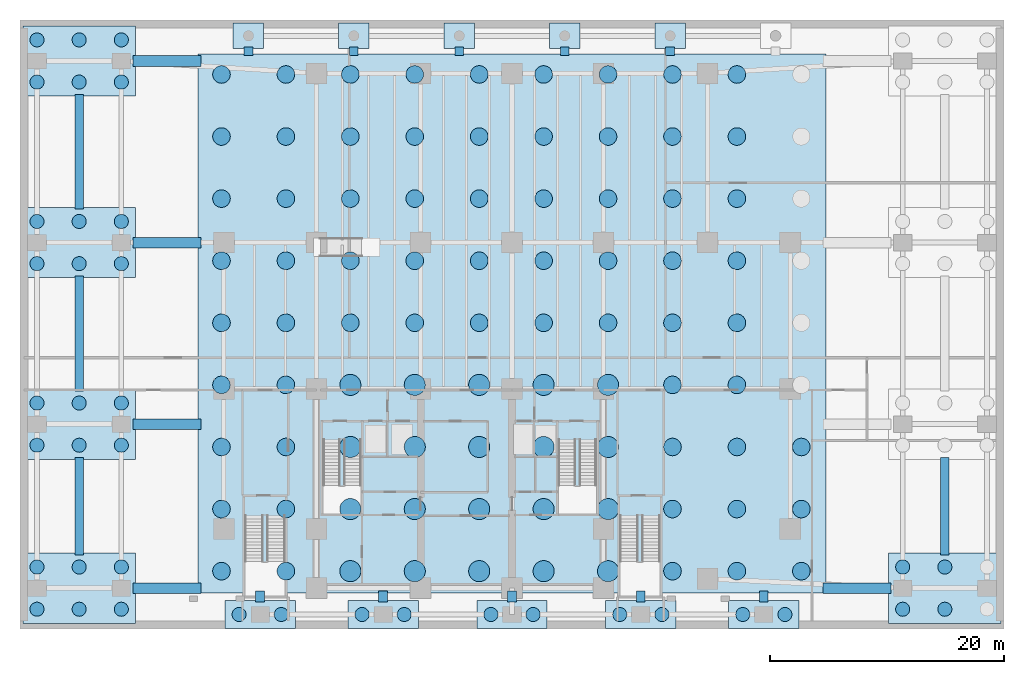
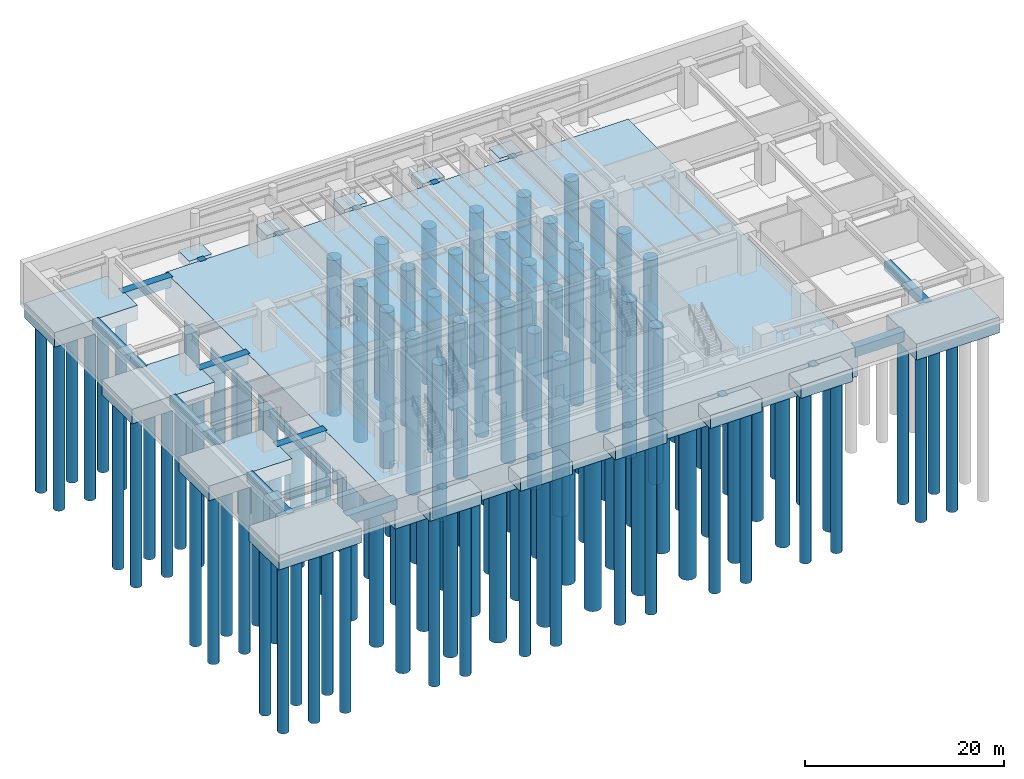
# One storey, part 1 of 12: 122 piles, 35 footings.
"""IFC4 building model written with IfcOpenShell, lengths in metres."""

from ifc_helpers import new_model, si_unit, direction, frame, origin, origin_2d, place, context, subcontext, project, spatial, polyline, rectangle, circle, outline, extrude, material, layer, layer_set, material_profile, profile_set, type_object, element, save


model = new_model("IFC4")

# Units and contexts
model_context = context("Model", 3, precision=1e-05, world=origin(), true_north=direction((0.0, 1.0)))
body_context = subcontext(model_context, "Body", "Model", "MODEL_VIEW")
ifc_project = project(units=[si_unit("LENGTHUNIT", "METRE"), si_unit("AREAUNIT", "SQUARE_METRE"), si_unit("VOLUMEUNIT", "CUBIC_METRE"), si_unit("PLANEANGLEUNIT", "RADIAN"), si_unit("MASSUNIT", "GRAM", prefix="KILO")], contexts=[model_context])

# Site, building, storey
site_placement = place(None, origin())
site = spatial("IfcSite", under=ifc_project, at=site_placement, CompositionType="ELEMENT")
building_placement = place(site_placement, origin())
building = spatial("IfcBuilding", under=site, at=building_placement, Name="Qalmaran Belvedere Hotel", CompositionType="ELEMENT")
storey_placement = place(building_placement, frame((0.0, 0.0, -5.39990234375)))
storey = spatial("IfcBuildingStorey", under=building, at=storey_placement, Name="B01", CompositionType="ELEMENT", Elevation=-5.39990234375)

# Footings
ifc_material = material(Name="Concrete C50/60", Category="concrete")
ifc_material_profile_1 = material_profile(ifc_material, rectangle(XDim=0.89990234375, YDim=1.199951171875, at=origin_2d()), Name="GB900X1200")
ifc_profile_set_1 = profile_set([ifc_material_profile_1], Name="Concrete C50/60")
footing_type_1 = type_object("IfcFootingType", Name="FTG-GB1-Concrete-C50-60", PredefinedType="FOOTING_BEAM", material=ifc_profile_set_1)
for number, where, z_axis, x_axis, name in (
    (1, (4.64990234375, 3.5, -0.60009765625), (1.0, 0.0, 0.0), (0.0, 1.0, 0.0), "Ground Tie Beam GB-1 01"),
    (2, (63.550048828125, 3.5, -0.60009765625), (1.0, 0.0, 0.0), (0.0, 1.0, 0.0), "Ground Tie Beam GB-1 02"),
    (3, (4.64990234375, 17.5, -0.60009765625), (1.0, 0.0, 0.0), (0.0, 1.0, 0.0), "Ground Tie Beam GB-1 03"),
    (4, (4.64990234375, 33.0, -0.60009765625), (1.0, 0.0, 0.0), (0.0, 1.0, 0.0), "Ground Tie Beam GB-1 05"),
    (5, (4.64990234375, 48.5, -0.60009765625), (1.0, 0.0, 0.0), (0.0, 1.0, 0.0), "Ground Tie Beam GB-1 07"),
):
    element("IfcFooting", number, at=place(storey_placement, frame(where, z_axis=z_axis, x_axis=x_axis)), inside=storey, type_object=footing_type_1, Name=name, PredefinedType="FOOTING_BEAM", context=body_context, shape_type="SweptSolid", body=[
        extrude(rectangle(XDim=0.89990234375, YDim=1.199951171875, at=origin_2d()), origin(), (0.0, 0.0, 1.0), 5.800048828125),
    ])
ifc_material_profile_2 = material_profile(ifc_material, rectangle(XDim=0.75, YDim=1.0, at=origin_2d()), Name="GB750X1000")
ifc_profile_set_2 = profile_set([ifc_material_profile_2], Name="Concrete C50/60")
footing_type_2 = type_object("IfcFootingType", Name="FTG-GB2-Concrete-C50-60", PredefinedType="FOOTING_BEAM", material=ifc_profile_set_2)
for number, where, z_axis, x_axis, name in (
    (6, (0.050048828125, 6.35009765625, -0.5), (0.0, 1.0, 0.0), (-1.0, 0.0, 0.0), "Ground Tie Beam GB-2 W1"),
    (7, (73.949951171875, 6.35009765625, -0.5), (0.0, 1.0, 0.0), (-1.0, 0.0, 0.0), "Ground Tie Beam GB-2 E1"),
):
    element("IfcFooting", number, at=place(storey_placement, frame(where, z_axis=z_axis, x_axis=x_axis)), inside=storey, type_object=footing_type_2, Name=name, PredefinedType="FOOTING_BEAM", context=body_context, shape_type="SweptSolid", body=[
        extrude(rectangle(XDim=0.75, YDim=1.0, at=origin_2d()), origin(), (0.0, 0.0, 1.0), 8.2998046875),
    ])
for number, where, z_axis, x_axis, name in (
    (8, (0.050048828125, 20.35009765625, -0.5), (0.0, 1.0, 0.0), (-1.0, 0.0, 0.0), "Ground Tie Beam GB-2 W2"),
    (9, (0.050048828125, 35.85009765625, -0.5), (0.0, 1.0, 0.0), (-1.0, 0.0, 0.0), "Ground Tie Beam GB-2 W3"),
):
    element("IfcFooting", number, at=place(storey_placement, frame(where, z_axis=z_axis, x_axis=x_axis)), inside=storey, type_object=footing_type_2, Name=name, PredefinedType="FOOTING_BEAM", context=body_context, shape_type="SweptSolid", body=[
        extrude(rectangle(XDim=0.75, YDim=1.0, at=origin_2d()), origin(), (0.0, 0.0, 1.0), 9.7998046875),
    ])
for number, where, z_axis, x_axis, name in (
    (10, (15.5, 2.300048828125, -0.5), (0.0, 1.0, 0.0), (-1.0, 0.0, 0.0), "South Tie Beam GB-2 S15"),
    (11, (26.0, 2.300048828125, -0.5), (0.0, 1.0, 0.0), (-1.0, 0.0, 0.0), "South Tie Beam GB-2 S16"),
    (12, (37.0, 2.300048828125, -0.5), (0.0, 1.0, 0.0), (-1.0, 0.0, 0.0), "South Tie Beam GB-2 S17"),
    (13, (48.0, 2.300048828125, -0.5), (0.0, 1.0, 0.0), (-1.0, 0.0, 0.0), "South Tie Beam GB-2 S18"),
    (14, (58.5, 2.300048828125, -0.5), (0.0, 1.0, 0.0), (-1.0, 0.0, 0.0), "South Tie Beam GB-2 S19"),
):
    element("IfcFooting", number, at=place(storey_placement, frame(where, z_axis=z_axis, x_axis=x_axis)), inside=storey, type_object=footing_type_2, Name=name, PredefinedType="FOOTING_BEAM", context=body_context, shape_type="SweptSolid", body=[
        extrude(rectangle(XDim=0.75, YDim=1.0, at=origin_2d()), origin(), (0.0, 0.0, 1.0), 0.949951171875),
    ])
for number, where, z_axis, x_axis, name in (
    (15, (14.5, 48.949951171875, -0.5), (0.0, 1.0, 0.0), (-1.0, 0.0, 0.0), "North Tie Beam GB-2 N20"),
    (16, (23.5, 48.949951171875, -0.5), (0.0, 1.0, 0.0), (-1.0, 0.0, 0.0), "North Tie Beam GB-2 N21"),
    (17, (32.5, 48.949951171875, -0.5), (0.0, 1.0, 0.0), (-1.0, 0.0, 0.0), "North Tie Beam GB-2 N22"),
    (18, (41.5, 48.949951171875, -0.5), (0.0, 1.0, 0.0), (-1.0, 0.0, 0.0), "North Tie Beam GB-2 N23"),
    (19, (50.5, 48.949951171875, -0.5), (0.0, 1.0, 0.0), (-1.0, 0.0, 0.0), "North Tie Beam GB-2 N24"),
):
    element("IfcFooting", number, at=place(storey_placement, frame(where, z_axis=z_axis, x_axis=x_axis)), inside=storey, type_object=footing_type_2, Name=name, PredefinedType="FOOTING_BEAM", context=body_context, shape_type="SweptSolid", body=[
        extrude(rectangle(XDim=0.75, YDim=1.0, at=origin_2d()), origin(), (0.0, 0.0, 1.0), 0.75),
    ])
ifc_layer_1 = layer(ifc_material, 1.800048828125, Name="Concrete C50/60")
ifc_layer_set_1 = layer_set([ifc_layer_1], Name="Concrete C50/60")
footing_type_3 = type_object("IfcFootingType", Name="FTG-PC1-Concrete-C50-60", PredefinedType="PILE_CAP", material=ifc_layer_set_1)
footing_1_placement = place(storey_placement, frame((0.0, 0.0, -1.800048828125)))
element("IfcFooting", 20, at=footing_1_placement, inside=storey, type_object=footing_type_3, Name="West Podium Pile Cap PC-1 W1", PredefinedType="PILE_CAP", context=body_context, shape_type="SweptSolid", body=[
    extrude(outline(polyline([(-4.75, 0.5), (4.85009765625, 0.5), (4.85009765625, 6.5), (-4.75, 6.5), (-4.75, 0.5)])), origin(), (0.0, 0.0, 1.0), 1.800048828125),
])
footing_2_placement = place(storey_placement, frame((0.0, 0.0, -1.800048828125)))
element("IfcFooting", 21, at=footing_2_placement, inside=storey, type_object=footing_type_3, Name="West Podium Pile Cap PC-1 W2", PredefinedType="PILE_CAP", context=body_context, shape_type="SweptSolid", body=[
    extrude(outline(polyline([(-4.75, 14.5), (4.85009765625, 14.5), (4.85009765625, 20.5), (-4.75, 20.5), (-4.75, 14.5)])), origin(), (0.0, 0.0, 1.0), 1.800048828125),
])
footing_3_placement = place(storey_placement, frame((0.0, 0.0, -1.800048828125)))
element("IfcFooting", 22, at=footing_3_placement, inside=storey, type_object=footing_type_3, Name="West Podium Pile Cap PC-1 W3", PredefinedType="PILE_CAP", context=body_context, shape_type="SweptSolid", body=[
    extrude(outline(polyline([(-4.75, 30.0), (4.85009765625, 30.0), (4.85009765625, 36.0), (-4.75, 36.0), (-4.75, 30.0)])), origin(), (0.0, 0.0, 1.0), 1.800048828125),
])
footing_4_placement = place(storey_placement, frame((0.0, 0.0, -1.800048828125)))
element("IfcFooting", 23, at=footing_4_placement, inside=storey, type_object=footing_type_3, Name="West Podium Pile Cap PC-1 W4", PredefinedType="PILE_CAP", context=body_context, shape_type="SweptSolid", body=[
    extrude(outline(polyline([(-4.75, 45.5), (4.85009765625, 45.5), (4.85009765625, 51.5), (-4.75, 51.5), (-4.75, 45.5)])), origin(), (0.0, 0.0, 1.0), 1.800048828125),
])
ifc_layer_2 = layer(ifc_material, 1.949951171875, Name="Concrete C50/60")
ifc_layer_set_2 = layer_set([ifc_layer_2], Name="Concrete C50/60")
footing_type_4 = type_object("IfcFootingType", Name="FTG-PC2-Concrete-C50-60", PredefinedType="PILE_CAP", material=ifc_layer_set_2)
footing_5_placement = place(storey_placement, frame((0.0, 0.0, -1.9501953125)))
element("IfcFooting", 24, at=footing_5_placement, inside=storey, type_object=footing_type_4, Name="East Podium Pile Cap PC-2 E1", PredefinedType="PILE_CAP", context=body_context, shape_type="SweptSolid", body=[
    extrude(outline(polyline([(69.14990234375, 0.5), (78.75, 0.5), (78.75, 6.5), (69.14990234375, 6.5), (69.14990234375, 0.5)])), origin(), (0.0, 0.0, 1.0), 1.9501953125),
])
ifc_layer_3 = layer(ifc_material, 1.60009765625, Name="Concrete C50/60")
ifc_layer_set_3 = layer_set([ifc_layer_3], Name="Concrete C50/60")
footing_type_5 = type_object("IfcFootingType", Name="FTG-PC3-Concrete-C50-60", PredefinedType="PILE_CAP", material=ifc_layer_set_3)
footing_6_placement = place(storey_placement, frame((0.0, 0.0, -1.60009765625)))
element("IfcFooting", 25, at=footing_6_placement, inside=storey, type_object=footing_type_5, Name="South Podium Pile Cap PC-3 S1", PredefinedType="PILE_CAP", context=body_context, shape_type="SweptSolid", body=[
    extrude(outline(polyline([(12.5, 0.050048828125), (18.5, 0.050048828125), (18.5, 2.449951171875), (12.5, 2.449951171875), (12.5, 0.050048828125)])), origin(), (0.0, 0.0, 1.0), 1.60009765625),
])
footing_7_placement = place(storey_placement, frame((0.0, 0.0, -1.60009765625)))
element("IfcFooting", 26, at=footing_7_placement, inside=storey, type_object=footing_type_5, Name="South Podium Pile Cap PC-3 S2", PredefinedType="PILE_CAP", context=body_context, shape_type="SweptSolid", body=[
    extrude(outline(polyline([(23.0, 0.050048828125), (29.0, 0.050048828125), (29.0, 2.449951171875), (23.0, 2.449951171875), (23.0, 0.050048828125)])), origin(), (0.0, 0.0, 1.0), 1.60009765625),
])
footing_8_placement = place(storey_placement, frame((0.0, 0.0, -1.60009765625)))
element("IfcFooting", 27, at=footing_8_placement, inside=storey, type_object=footing_type_5, Name="South Podium Pile Cap PC-3 S3", PredefinedType="PILE_CAP", context=body_context, shape_type="SweptSolid", body=[
    extrude(outline(polyline([(34.0, 0.050048828125), (40.0, 0.050048828125), (40.0, 2.449951171875), (34.0, 2.449951171875), (34.0, 0.050048828125)])), origin(), (0.0, 0.0, 1.0), 1.60009765625),
])
footing_9_placement = place(storey_placement, frame((0.0, 0.0, -1.60009765625)))
element("IfcFooting", 28, at=footing_9_placement, inside=storey, type_object=footing_type_5, Name="South Podium Pile Cap PC-3 S4", PredefinedType="PILE_CAP", context=body_context, shape_type="SweptSolid", body=[
    extrude(outline(polyline([(45.0, 0.050048828125), (51.0, 0.050048828125), (51.0, 2.449951171875), (45.0, 2.449951171875), (45.0, 0.050048828125)])), origin(), (0.0, 0.0, 1.0), 1.60009765625),
])
footing_10_placement = place(storey_placement, frame((0.0, 0.0, -1.60009765625)))
element("IfcFooting", 29, at=footing_10_placement, inside=storey, type_object=footing_type_5, Name="South Podium Pile Cap PC-3 S5", PredefinedType="PILE_CAP", context=body_context, shape_type="SweptSolid", body=[
    extrude(outline(polyline([(55.5, 0.050048828125), (61.5, 0.050048828125), (61.5, 2.449951171875), (55.5, 2.449951171875), (55.5, 0.050048828125)])), origin(), (0.0, 0.0, 1.0), 1.60009765625),
])
ifc_layer_4 = layer(ifc_material, 1.14990234375, Name="Concrete C50/60")
ifc_layer_set_4 = layer_set([ifc_layer_4], Name="Concrete C50/60")
footing_type_6 = type_object("IfcFootingType", Name="FTG-PF1-Concrete-C50-60", PredefinedType="PAD_FOOTING", material=ifc_layer_set_4)
footing_11_placement = place(storey_placement, frame((0.0, 0.0, -1.150146484375)))
element("IfcFooting", 30, at=footing_11_placement, inside=storey, type_object=footing_type_6, Name="North Boulevard Pad Footing PF-1 N1", PredefinedType="PAD_FOOTING", context=body_context, shape_type="SweptSolid", body=[
    extrude(outline(polyline([(13.199951171875, 49.550048828125), (15.800048828125, 49.550048828125), (15.800048828125, 51.75), (13.199951171875, 51.75), (13.199951171875, 49.550048828125)])), origin(), (0.0, 0.0, 1.0), 1.150146484375),
])
footing_12_placement = place(storey_placement, frame((0.0, 0.0, -1.150146484375)))
element("IfcFooting", 31, at=footing_12_placement, inside=storey, type_object=footing_type_6, Name="North Boulevard Pad Footing PF-1 N2", PredefinedType="PAD_FOOTING", context=body_context, shape_type="SweptSolid", body=[
    extrude(outline(polyline([(22.199951171875, 49.550048828125), (24.800048828125, 49.550048828125), (24.800048828125, 51.75), (22.199951171875, 51.75), (22.199951171875, 49.550048828125)])), origin(), (0.0, 0.0, 1.0), 1.150146484375),
])
footing_13_placement = place(storey_placement, frame((0.0, 0.0, -1.150146484375)))
element("IfcFooting", 32, at=footing_13_placement, inside=storey, type_object=footing_type_6, Name="North Boulevard Pad Footing PF-1 N3", PredefinedType="PAD_FOOTING", context=body_context, shape_type="SweptSolid", body=[
    extrude(outline(polyline([(31.199951171875, 49.550048828125), (33.800048828125, 49.550048828125), (33.800048828125, 51.75), (31.199951171875, 51.75), (31.199951171875, 49.550048828125)])), origin(), (0.0, 0.0, 1.0), 1.150146484375),
])
footing_14_placement = place(storey_placement, frame((0.0, 0.0, -1.150146484375)))
element("IfcFooting", 33, at=footing_14_placement, inside=storey, type_object=footing_type_6, Name="North Boulevard Pad Footing PF-1 N4", PredefinedType="PAD_FOOTING", context=body_context, shape_type="SweptSolid", body=[
    extrude(outline(polyline([(40.199951171875, 49.550048828125), (42.800048828125, 49.550048828125), (42.800048828125, 51.75), (40.199951171875, 51.75), (40.199951171875, 49.550048828125)])), origin(), (0.0, 0.0, 1.0), 1.150146484375),
])
footing_15_placement = place(storey_placement, frame((0.0, 0.0, -1.150146484375)))
element("IfcFooting", 34, at=footing_15_placement, inside=storey, type_object=footing_type_6, Name="North Boulevard Pad Footing PF-1 N5", PredefinedType="PAD_FOOTING", context=body_context, shape_type="SweptSolid", body=[
    extrude(outline(polyline([(49.199951171875, 49.550048828125), (51.800048828125, 49.550048828125), (51.800048828125, 51.75), (49.199951171875, 51.75), (49.199951171875, 49.550048828125)])), origin(), (0.0, 0.0, 1.0), 1.150146484375),
])
ifc_layer_5 = layer(ifc_material, 3.60009765625, Name="Concrete C50/60")
ifc_layer_set_5 = layer_set([ifc_layer_5], Name="Concrete C50/60")
footing_type_7 = type_object("IfcFootingType", Name="FTG-RF1-Concrete-C50-60", PredefinedType="PILE_CAP", material=ifc_layer_set_5)
footing_16_placement = place(storey_placement, frame((0.0, 0.0, -3.60009765625)))
element("IfcFooting", 35, at=footing_16_placement, inside=storey, type_object=footing_type_7, Name="Tower Combined Piled Raft RF-1", PredefinedType="PILE_CAP", context=body_context, shape_type="SweptSolid", body=[
    extrude(outline(polyline([(10.199951171875, 3.10009765625), (63.800048828125, 3.10009765625), (63.800048828125, 49.10009765625), (10.199951171875, 49.10009765625), (10.199951171875, 3.10009765625)])), origin(), (0.0, 0.0, 1.0), 3.60009765625),
])

# Piles
ifc_material_profile_3 = material_profile(ifc_material, circle(Radius=0.89990234375, at=origin_2d()), Name="BP1800")
ifc_profile_set_3 = profile_set([ifc_material_profile_3], Name="Concrete C50/60")
pile_type_1 = type_object("IfcPileType", Name="PIL-BP1-Concrete-C50-60", PredefinedType="BORED", material=ifc_profile_set_3)
for number, where, z_axis, x_axis, name in (
    (36, (23.199951171875, 4.949951171875, -3.4501953125), (0.0, 0.0, -1.0), (1.0, 0.0, 0.0), "Tower Raft Bored Pile 019"),
    (37, (23.199951171875, 10.25, -3.4501953125), (0.0, 0.0, -1.0), (1.0, 0.0, 0.0), "Tower Raft Bored Pile 020"),
    (38, (23.199951171875, 15.550048828125, -3.4501953125), (0.0, 0.0, -1.0), (1.0, 0.0, 0.0), "Tower Raft Bored Pile 021"),
    (39, (23.199951171875, 20.85009765625, -3.4501953125), (0.0, 0.0, -1.0), (1.0, 0.0, 0.0), "Tower Raft Bored Pile 022"),
    (40, (28.699951171875, 4.949951171875, -3.4501953125), (0.0, 0.0, -1.0), (1.0, 0.0, 0.0), "Tower Raft Bored Pile 028"),
    (41, (28.699951171875, 10.25, -3.4501953125), (0.0, 0.0, -1.0), (1.0, 0.0, 0.0), "Tower Raft Bored Pile 029"),
    (42, (28.699951171875, 15.550048828125, -3.4501953125), (0.0, 0.0, -1.0), (1.0, 0.0, 0.0), "Tower Raft Bored Pile 030"),
    (43, (28.699951171875, 20.85009765625, -3.4501953125), (0.0, 0.0, -1.0), (1.0, 0.0, 0.0), "Tower Raft Bored Pile 031"),
    (44, (34.199951171875, 4.949951171875, -3.4501953125), (0.0, 0.0, -1.0), (1.0, 0.0, 0.0), "Tower Raft Bored Pile 037"),
    (45, (34.199951171875, 10.25, -3.4501953125), (0.0, 0.0, -1.0), (1.0, 0.0, 0.0), "Tower Raft Bored Pile 038"),
    (46, (34.199951171875, 15.550048828125, -3.4501953125), (0.0, 0.0, -1.0), (1.0, 0.0, 0.0), "Tower Raft Bored Pile 039"),
    (47, (34.199951171875, 20.85009765625, -3.4501953125), (0.0, 0.0, -1.0), (1.0, 0.0, 0.0), "Tower Raft Bored Pile 040"),
    (48, (39.699951171875, 4.949951171875, -3.4501953125), (0.0, 0.0, -1.0), (1.0, 0.0, 0.0), "Tower Raft Bored Pile 046"),
    (49, (39.699951171875, 10.25, -3.4501953125), (0.0, 0.0, -1.0), (1.0, 0.0, 0.0), "Tower Raft Bored Pile 047"),
    (50, (39.699951171875, 15.550048828125, -3.4501953125), (0.0, 0.0, -1.0), (1.0, 0.0, 0.0), "Tower Raft Bored Pile 048"),
    (51, (39.699951171875, 20.85009765625, -3.4501953125), (0.0, 0.0, -1.0), (1.0, 0.0, 0.0), "Tower Raft Bored Pile 049"),
    (52, (45.199951171875, 4.949951171875, -3.4501953125), (0.0, 0.0, -1.0), (1.0, 0.0, 0.0), "Tower Raft Bored Pile 055"),
    (53, (45.199951171875, 10.25, -3.4501953125), (0.0, 0.0, -1.0), (1.0, 0.0, 0.0), "Tower Raft Bored Pile 056"),
    (54, (45.199951171875, 15.550048828125, -3.4501953125), (0.0, 0.0, -1.0), (1.0, 0.0, 0.0), "Tower Raft Bored Pile 057"),
    (55, (45.199951171875, 20.85009765625, -3.4501953125), (0.0, 0.0, -1.0), (1.0, 0.0, 0.0), "Tower Raft Bored Pile 058"),
):
    element("IfcPile", number, at=place(storey_placement, frame(where, z_axis=z_axis, x_axis=x_axis)), inside=storey, type_object=pile_type_1, Name=name, PredefinedType="BORED", context=body_context, shape_type="SweptSolid", body=[
        extrude(circle(Radius=0.89990234375, at=origin_2d()), origin(), (0.0, 0.0, 1.0), 19.14990234375),
    ])
ifc_material_profile_4 = material_profile(ifc_material, circle(Radius=0.75, at=origin_2d()), Name="BP1500")
ifc_profile_set_4 = profile_set([ifc_material_profile_4], Name="Concrete C50/60")
pile_type_2 = type_object("IfcPileType", Name="PIL-BP2-Concrete-C50-60", PredefinedType="BORED", material=ifc_profile_set_4)
for number, where, z_axis, x_axis, name in (
    (56, (12.199951171875, 4.949951171875, -3.4501953125), (0.0, 0.0, -1.0), (1.0, 0.0, 0.0), "Tower Raft Bored Pile 001"),
    (57, (12.199951171875, 10.25, -3.4501953125), (0.0, 0.0, -1.0), (1.0, 0.0, 0.0), "Tower Raft Bored Pile 002"),
    (58, (12.199951171875, 15.550048828125, -3.4501953125), (0.0, 0.0, -1.0), (1.0, 0.0, 0.0), "Tower Raft Bored Pile 003"),
    (59, (12.199951171875, 20.85009765625, -3.4501953125), (0.0, 0.0, -1.0), (1.0, 0.0, 0.0), "Tower Raft Bored Pile 004"),
    (60, (12.199951171875, 26.14990234375, -3.4501953125), (0.0, 0.0, -1.0), (1.0, 0.0, 0.0), "Tower Raft Bored Pile 005"),
    (61, (12.199951171875, 31.449951171875, -3.4501953125), (0.0, 0.0, -1.0), (1.0, 0.0, 0.0), "Tower Raft Bored Pile 006"),
    (62, (12.199951171875, 36.75, -3.4501953125), (0.0, 0.0, -1.0), (1.0, 0.0, 0.0), "Tower Raft Bored Pile 007"),
    (63, (12.199951171875, 42.050048828125, -3.4501953125), (0.0, 0.0, -1.0), (1.0, 0.0, 0.0), "Tower Raft Bored Pile 008"),
    (64, (12.199951171875, 47.35009765625, -3.4501953125), (0.0, 0.0, -1.0), (1.0, 0.0, 0.0), "Tower Raft Bored Pile 009"),
    (65, (17.699951171875, 4.949951171875, -3.4501953125), (0.0, 0.0, -1.0), (1.0, 0.0, 0.0), "Tower Raft Bored Pile 010"),
    (66, (17.699951171875, 10.25, -3.4501953125), (0.0, 0.0, -1.0), (1.0, 0.0, 0.0), "Tower Raft Bored Pile 011"),
    (67, (17.699951171875, 15.550048828125, -3.4501953125), (0.0, 0.0, -1.0), (1.0, 0.0, 0.0), "Tower Raft Bored Pile 012"),
    (68, (17.699951171875, 20.85009765625, -3.4501953125), (0.0, 0.0, -1.0), (1.0, 0.0, 0.0), "Tower Raft Bored Pile 013"),
    (69, (17.699951171875, 26.14990234375, -3.4501953125), (0.0, 0.0, -1.0), (1.0, 0.0, 0.0), "Tower Raft Bored Pile 014"),
    (70, (17.699951171875, 31.449951171875, -3.4501953125), (0.0, 0.0, -1.0), (1.0, 0.0, 0.0), "Tower Raft Bored Pile 015"),
    (71, (17.699951171875, 36.75, -3.4501953125), (0.0, 0.0, -1.0), (1.0, 0.0, 0.0), "Tower Raft Bored Pile 016"),
    (72, (17.699951171875, 42.050048828125, -3.4501953125), (0.0, 0.0, -1.0), (1.0, 0.0, 0.0), "Tower Raft Bored Pile 017"),
    (73, (17.699951171875, 47.35009765625, -3.4501953125), (0.0, 0.0, -1.0), (1.0, 0.0, 0.0), "Tower Raft Bored Pile 018"),
    (74, (23.199951171875, 26.14990234375, -3.4501953125), (0.0, 0.0, -1.0), (1.0, 0.0, 0.0), "Tower Raft Bored Pile 023"),
    (75, (23.199951171875, 31.449951171875, -3.4501953125), (0.0, 0.0, -1.0), (1.0, 0.0, 0.0), "Tower Raft Bored Pile 024"),
    (76, (23.199951171875, 36.75, -3.4501953125), (0.0, 0.0, -1.0), (1.0, 0.0, 0.0), "Tower Raft Bored Pile 025"),
    (77, (23.199951171875, 42.050048828125, -3.4501953125), (0.0, 0.0, -1.0), (1.0, 0.0, 0.0), "Tower Raft Bored Pile 026"),
    (78, (23.199951171875, 47.35009765625, -3.4501953125), (0.0, 0.0, -1.0), (1.0, 0.0, 0.0), "Tower Raft Bored Pile 027"),
    (79, (28.699951171875, 26.14990234375, -3.4501953125), (0.0, 0.0, -1.0), (1.0, 0.0, 0.0), "Tower Raft Bored Pile 032"),
    (80, (28.699951171875, 31.449951171875, -3.4501953125), (0.0, 0.0, -1.0), (1.0, 0.0, 0.0), "Tower Raft Bored Pile 033"),
    (81, (28.699951171875, 36.75, -3.4501953125), (0.0, 0.0, -1.0), (1.0, 0.0, 0.0), "Tower Raft Bored Pile 034"),
    (82, (28.699951171875, 42.050048828125, -3.4501953125), (0.0, 0.0, -1.0), (1.0, 0.0, 0.0), "Tower Raft Bored Pile 035"),
    (83, (28.699951171875, 47.35009765625, -3.4501953125), (0.0, 0.0, -1.0), (1.0, 0.0, 0.0), "Tower Raft Bored Pile 036"),
    (84, (34.199951171875, 26.14990234375, -3.4501953125), (0.0, 0.0, -1.0), (1.0, 0.0, 0.0), "Tower Raft Bored Pile 041"),
    (85, (34.199951171875, 31.449951171875, -3.4501953125), (0.0, 0.0, -1.0), (1.0, 0.0, 0.0), "Tower Raft Bored Pile 042"),
    (86, (34.199951171875, 36.75, -3.4501953125), (0.0, 0.0, -1.0), (1.0, 0.0, 0.0), "Tower Raft Bored Pile 043"),
    (87, (34.199951171875, 42.050048828125, -3.4501953125), (0.0, 0.0, -1.0), (1.0, 0.0, 0.0), "Tower Raft Bored Pile 044"),
    (88, (34.199951171875, 47.35009765625, -3.4501953125), (0.0, 0.0, -1.0), (1.0, 0.0, 0.0), "Tower Raft Bored Pile 045"),
    (89, (39.699951171875, 26.14990234375, -3.4501953125), (0.0, 0.0, -1.0), (1.0, 0.0, 0.0), "Tower Raft Bored Pile 050"),
    (90, (39.699951171875, 31.449951171875, -3.4501953125), (0.0, 0.0, -1.0), (1.0, 0.0, 0.0), "Tower Raft Bored Pile 051"),
    (91, (39.699951171875, 36.75, -3.4501953125), (0.0, 0.0, -1.0), (1.0, 0.0, 0.0), "Tower Raft Bored Pile 052"),
    (92, (39.699951171875, 42.050048828125, -3.4501953125), (0.0, 0.0, -1.0), (1.0, 0.0, 0.0), "Tower Raft Bored Pile 053"),
    (93, (39.699951171875, 47.35009765625, -3.4501953125), (0.0, 0.0, -1.0), (1.0, 0.0, 0.0), "Tower Raft Bored Pile 054"),
    (94, (45.199951171875, 26.14990234375, -3.4501953125), (0.0, 0.0, -1.0), (1.0, 0.0, 0.0), "Tower Raft Bored Pile 059"),
    (95, (45.199951171875, 31.449951171875, -3.4501953125), (0.0, 0.0, -1.0), (1.0, 0.0, 0.0), "Tower Raft Bored Pile 060"),
    (96, (45.199951171875, 36.75, -3.4501953125), (0.0, 0.0, -1.0), (1.0, 0.0, 0.0), "Tower Raft Bored Pile 061"),
    (97, (45.199951171875, 42.050048828125, -3.4501953125), (0.0, 0.0, -1.0), (1.0, 0.0, 0.0), "Tower Raft Bored Pile 062"),
    (98, (45.199951171875, 47.35009765625, -3.4501953125), (0.0, 0.0, -1.0), (1.0, 0.0, 0.0), "Tower Raft Bored Pile 063"),
    (99, (50.699951171875, 4.949951171875, -3.4501953125), (0.0, 0.0, -1.0), (1.0, 0.0, 0.0), "Tower Raft Bored Pile 064"),
    (100, (50.699951171875, 10.25, -3.4501953125), (0.0, 0.0, -1.0), (1.0, 0.0, 0.0), "Tower Raft Bored Pile 065"),
    (101, (50.699951171875, 15.550048828125, -3.4501953125), (0.0, 0.0, -1.0), (1.0, 0.0, 0.0), "Tower Raft Bored Pile 066"),
    (102, (50.699951171875, 20.85009765625, -3.4501953125), (0.0, 0.0, -1.0), (1.0, 0.0, 0.0), "Tower Raft Bored Pile 067"),
    (103, (50.699951171875, 26.14990234375, -3.4501953125), (0.0, 0.0, -1.0), (1.0, 0.0, 0.0), "Tower Raft Bored Pile 068"),
    (104, (50.699951171875, 31.449951171875, -3.4501953125), (0.0, 0.0, -1.0), (1.0, 0.0, 0.0), "Tower Raft Bored Pile 069"),
    (105, (50.699951171875, 36.75, -3.4501953125), (0.0, 0.0, -1.0), (1.0, 0.0, 0.0), "Tower Raft Bored Pile 070"),
    (106, (50.699951171875, 42.050048828125, -3.4501953125), (0.0, 0.0, -1.0), (1.0, 0.0, 0.0), "Tower Raft Bored Pile 071"),
    (107, (50.699951171875, 47.35009765625, -3.4501953125), (0.0, 0.0, -1.0), (1.0, 0.0, 0.0), "Tower Raft Bored Pile 072"),
    (108, (56.199951171875, 4.949951171875, -3.4501953125), (0.0, 0.0, -1.0), (1.0, 0.0, 0.0), "Tower Raft Bored Pile 073"),
    (109, (56.199951171875, 10.25, -3.4501953125), (0.0, 0.0, -1.0), (1.0, 0.0, 0.0), "Tower Raft Bored Pile 074"),
    (110, (56.199951171875, 15.550048828125, -3.4501953125), (0.0, 0.0, -1.0), (1.0, 0.0, 0.0), "Tower Raft Bored Pile 075"),
    (111, (56.199951171875, 20.85009765625, -3.4501953125), (0.0, 0.0, -1.0), (1.0, 0.0, 0.0), "Tower Raft Bored Pile 076"),
    (112, (56.199951171875, 26.14990234375, -3.4501953125), (0.0, 0.0, -1.0), (1.0, 0.0, 0.0), "Tower Raft Bored Pile 077"),
    (113, (56.199951171875, 31.449951171875, -3.4501953125), (0.0, 0.0, -1.0), (1.0, 0.0, 0.0), "Tower Raft Bored Pile 078"),
    (114, (56.199951171875, 36.75, -3.4501953125), (0.0, 0.0, -1.0), (1.0, 0.0, 0.0), "Tower Raft Bored Pile 079"),
    (115, (56.199951171875, 42.050048828125, -3.4501953125), (0.0, 0.0, -1.0), (1.0, 0.0, 0.0), "Tower Raft Bored Pile 080"),
    (116, (56.199951171875, 47.35009765625, -3.4501953125), (0.0, 0.0, -1.0), (1.0, 0.0, 0.0), "Tower Raft Bored Pile 081"),
    (117, (61.699951171875, 4.949951171875, -3.4501953125), (0.0, 0.0, -1.0), (1.0, 0.0, 0.0), "Tower Raft Bored Pile 082"),
    (118, (61.699951171875, 10.25, -3.4501953125), (0.0, 0.0, -1.0), (1.0, 0.0, 0.0), "Tower Raft Bored Pile 083"),
    (119, (61.699951171875, 15.550048828125, -3.4501953125), (0.0, 0.0, -1.0), (1.0, 0.0, 0.0), "Tower Raft Bored Pile 084"),
):
    element("IfcPile", number, at=place(storey_placement, frame(where, z_axis=z_axis, x_axis=x_axis)), inside=storey, type_object=pile_type_2, Name=name, PredefinedType="BORED", context=body_context, shape_type="SweptSolid", body=[
        extrude(circle(Radius=0.75, at=origin_2d()), origin(), (0.0, 0.0, 1.0), 19.14990234375),
    ])
ifc_material_profile_5 = material_profile(ifc_material, circle(Radius=0.60009765625, at=origin_2d()), Name="BP1200")
ifc_profile_set_5 = profile_set([ifc_material_profile_5], Name="Concrete C50/60")
pile_type_3 = type_object("IfcPileType", Name="PIL-BP3-Concrete-C50-60", PredefinedType="BORED", material=ifc_profile_set_5)
for number, where, z_axis, x_axis, name in (
    (120, (-3.550048828125, 1.699951171875, -1.650146484375), (0.0, 0.0, -1.0), (1.0, 0.0, 0.0), "West Podium Bored Pile 091"),
    (121, (-3.550048828125, 5.300048828125, -1.650146484375), (0.0, 0.0, -1.0), (1.0, 0.0, 0.0), "West Podium Bored Pile 092"),
    (122, (0.050048828125, 1.699951171875, -1.650146484375), (0.0, 0.0, -1.0), (1.0, 0.0, 0.0), "West Podium Bored Pile 093"),
    (123, (0.050048828125, 5.300048828125, -1.650146484375), (0.0, 0.0, -1.0), (1.0, 0.0, 0.0), "West Podium Bored Pile 094"),
    (124, (3.64990234375, 1.699951171875, -1.650146484375), (0.0, 0.0, -1.0), (1.0, 0.0, 0.0), "West Podium Bored Pile 095"),
    (125, (3.64990234375, 5.300048828125, -1.650146484375), (0.0, 0.0, -1.0), (1.0, 0.0, 0.0), "West Podium Bored Pile 096"),
):
    element("IfcPile", number, at=place(storey_placement, frame(where, z_axis=z_axis, x_axis=x_axis)), inside=storey, type_object=pile_type_3, Name=name, PredefinedType="BORED", context=body_context, shape_type="SweptSolid", body=[
        extrude(circle(Radius=0.60009765625, at=origin_2d()), origin(), (0.0, 0.0, 1.0), 20.949951171875),
    ])
for number, where, z_axis, x_axis, name in (
    (126, (70.35009765625, 1.699951171875, -1.800048828125), (0.0, 0.0, -1.0), (1.0, 0.0, 0.0), "East Podium Bored Pile 097"),
    (127, (70.35009765625, 5.300048828125, -1.800048828125), (0.0, 0.0, -1.0), (1.0, 0.0, 0.0), "East Podium Bored Pile 098"),
    (128, (73.949951171875, 1.699951171875, -1.800048828125), (0.0, 0.0, -1.0), (1.0, 0.0, 0.0), "East Podium Bored Pile 099"),
    (129, (73.949951171875, 5.300048828125, -1.800048828125), (0.0, 0.0, -1.0), (1.0, 0.0, 0.0), "East Podium Bored Pile 100"),
):
    element("IfcPile", number, at=place(storey_placement, frame(where, z_axis=z_axis, x_axis=x_axis)), inside=storey, type_object=pile_type_3, Name=name, PredefinedType="BORED", context=body_context, shape_type="SweptSolid", body=[
        extrude(circle(Radius=0.60009765625, at=origin_2d()), origin(), (0.0, 0.0, 1.0), 20.800048828125),
    ])
for number, where, z_axis, x_axis, name in (
    (130, (-3.550048828125, 15.699951171875, -1.650146484375), (0.0, 0.0, -1.0), (1.0, 0.0, 0.0), "West Podium Bored Pile 103"),
    (131, (-3.550048828125, 19.300048828125, -1.650146484375), (0.0, 0.0, -1.0), (1.0, 0.0, 0.0), "West Podium Bored Pile 104"),
    (132, (0.050048828125, 15.699951171875, -1.650146484375), (0.0, 0.0, -1.0), (1.0, 0.0, 0.0), "West Podium Bored Pile 105"),
    (133, (0.050048828125, 19.300048828125, -1.650146484375), (0.0, 0.0, -1.0), (1.0, 0.0, 0.0), "West Podium Bored Pile 106"),
    (134, (3.64990234375, 15.699951171875, -1.650146484375), (0.0, 0.0, -1.0), (1.0, 0.0, 0.0), "West Podium Bored Pile 107"),
    (135, (3.64990234375, 19.300048828125, -1.650146484375), (0.0, 0.0, -1.0), (1.0, 0.0, 0.0), "West Podium Bored Pile 108"),
    (136, (-3.550048828125, 31.199951171875, -1.650146484375), (0.0, 0.0, -1.0), (1.0, 0.0, 0.0), "West Podium Bored Pile 115"),
    (137, (-3.550048828125, 34.800048828125, -1.650146484375), (0.0, 0.0, -1.0), (1.0, 0.0, 0.0), "West Podium Bored Pile 116"),
    (138, (0.050048828125, 31.199951171875, -1.650146484375), (0.0, 0.0, -1.0), (1.0, 0.0, 0.0), "West Podium Bored Pile 117"),
    (139, (0.050048828125, 34.800048828125, -1.650146484375), (0.0, 0.0, -1.0), (1.0, 0.0, 0.0), "West Podium Bored Pile 118"),
    (140, (3.64990234375, 31.199951171875, -1.650146484375), (0.0, 0.0, -1.0), (1.0, 0.0, 0.0), "West Podium Bored Pile 119"),
    (141, (3.64990234375, 34.800048828125, -1.650146484375), (0.0, 0.0, -1.0), (1.0, 0.0, 0.0), "West Podium Bored Pile 120"),
    (142, (-3.550048828125, 46.699951171875, -1.650146484375), (0.0, 0.0, -1.0), (1.0, 0.0, 0.0), "West Podium Bored Pile 127"),
    (143, (-3.550048828125, 50.300048828125, -1.650146484375), (0.0, 0.0, -1.0), (1.0, 0.0, 0.0), "West Podium Bored Pile 128"),
    (144, (0.050048828125, 46.699951171875, -1.650146484375), (0.0, 0.0, -1.0), (1.0, 0.0, 0.0), "West Podium Bored Pile 129"),
    (145, (0.050048828125, 50.300048828125, -1.650146484375), (0.0, 0.0, -1.0), (1.0, 0.0, 0.0), "West Podium Bored Pile 130"),
    (146, (3.64990234375, 46.699951171875, -1.650146484375), (0.0, 0.0, -1.0), (1.0, 0.0, 0.0), "West Podium Bored Pile 131"),
    (147, (3.64990234375, 50.300048828125, -1.650146484375), (0.0, 0.0, -1.0), (1.0, 0.0, 0.0), "West Podium Bored Pile 132"),
):
    element("IfcPile", number, at=place(storey_placement, frame(where, z_axis=z_axis, x_axis=x_axis)), inside=storey, type_object=pile_type_3, Name=name, PredefinedType="BORED", context=body_context, shape_type="SweptSolid", body=[
        extrude(circle(Radius=0.60009765625, at=origin_2d()), origin(), (0.0, 0.0, 1.0), 20.949951171875),
    ])
for number, where, z_axis, x_axis, name in (
    (148, (13.699951171875, 1.25, -1.4501953125), (0.0, 0.0, -1.0), (1.0, 0.0, 0.0), "South Podium Bored Pile 139"),
    (149, (17.300048828125, 1.25, -1.4501953125), (0.0, 0.0, -1.0), (1.0, 0.0, 0.0), "South Podium Bored Pile 140"),
    (150, (24.199951171875, 1.25, -1.4501953125), (0.0, 0.0, -1.0), (1.0, 0.0, 0.0), "South Podium Bored Pile 141"),
    (151, (27.800048828125, 1.25, -1.4501953125), (0.0, 0.0, -1.0), (1.0, 0.0, 0.0), "South Podium Bored Pile 142"),
    (152, (35.199951171875, 1.25, -1.4501953125), (0.0, 0.0, -1.0), (1.0, 0.0, 0.0), "South Podium Bored Pile 143"),
    (153, (38.800048828125, 1.25, -1.4501953125), (0.0, 0.0, -1.0), (1.0, 0.0, 0.0), "South Podium Bored Pile 144"),
    (154, (46.199951171875, 1.25, -1.4501953125), (0.0, 0.0, -1.0), (1.0, 0.0, 0.0), "South Podium Bored Pile 145"),
    (155, (49.800048828125, 1.25, -1.4501953125), (0.0, 0.0, -1.0), (1.0, 0.0, 0.0), "South Podium Bored Pile 146"),
    (156, (56.699951171875, 1.25, -1.4501953125), (0.0, 0.0, -1.0), (1.0, 0.0, 0.0), "South Podium Bored Pile 147"),
    (157, (60.300048828125, 1.25, -1.4501953125), (0.0, 0.0, -1.0), (1.0, 0.0, 0.0), "South Podium Bored Pile 148"),
):
    element("IfcPile", number, at=place(storey_placement, frame(where, z_axis=z_axis, x_axis=x_axis)), inside=storey, type_object=pile_type_3, Name=name, PredefinedType="BORED", context=body_context, shape_type="SweptSolid", body=[
        extrude(circle(Radius=0.60009765625, at=origin_2d()), origin(), (0.0, 0.0, 1.0), 21.14990234375),
    ])

save(model, "model.ifc")
